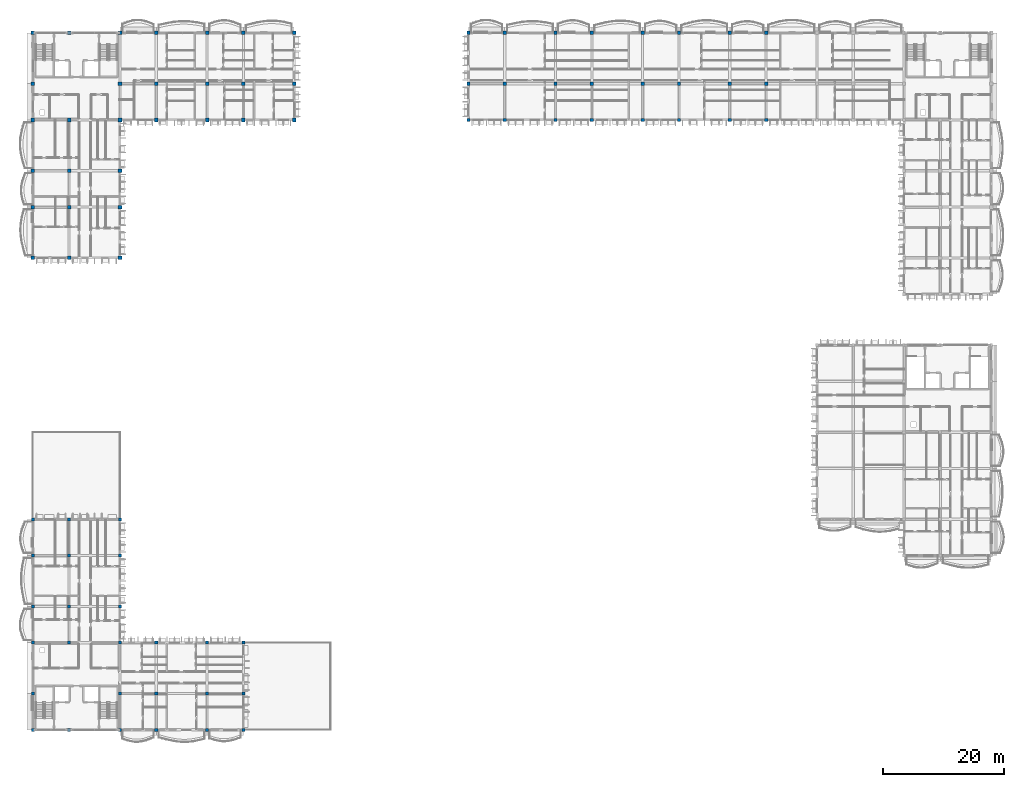
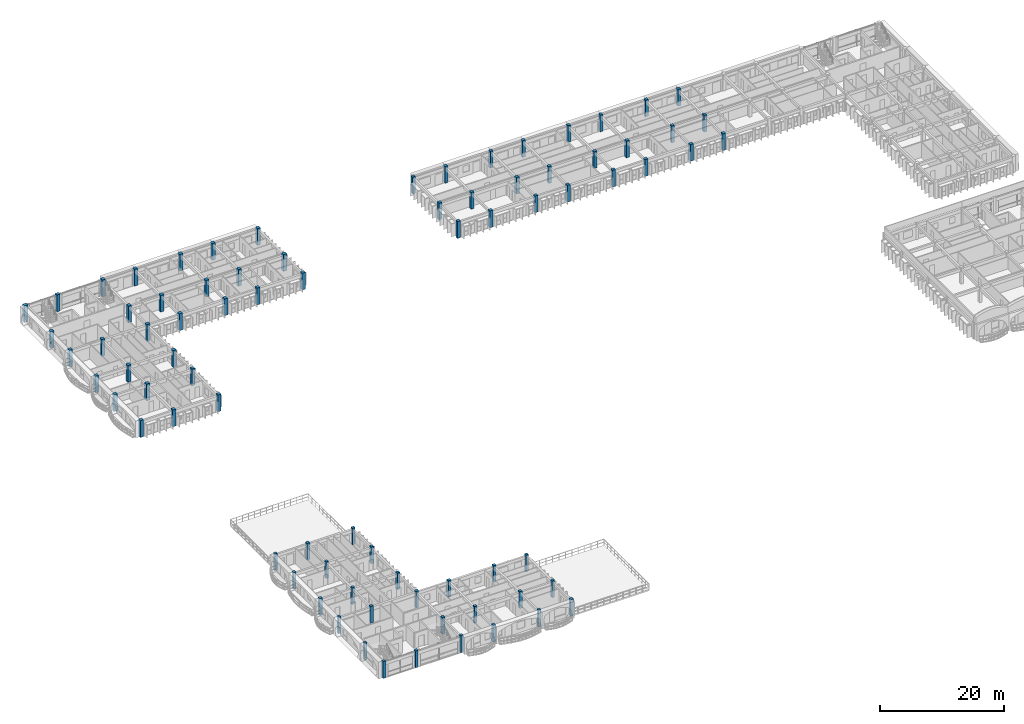
# One storey, part 1 of 59: 79 columns.
"""IFC4 building model written with IfcOpenShell, lengths in metres."""

from ifc_helpers import new_model, si_unit, direction, frame, origin, origin_2d, place, context, subcontext, project, spatial, rectangle, extrude, material, material_profile, profile_set, type_object, element, save


model = new_model("IFC4")

# Units and contexts
model_context = context("Model", 3, precision=1e-05, world=origin(), true_north=direction((0.0, 1.0)))
body_context = subcontext(model_context, "Body", "Model", "MODEL_VIEW")
ifc_project = project(units=[si_unit("LENGTHUNIT", "METRE"), si_unit("AREAUNIT", "SQUARE_METRE"), si_unit("VOLUMEUNIT", "CUBIC_METRE"), si_unit("PLANEANGLEUNIT", "RADIAN"), si_unit("MASSUNIT", "GRAM", prefix="KILO"), si_unit("THERMODYNAMICTEMPERATUREUNIT", "KELVIN")], contexts=[model_context])

# Site, building, storey
site_placement = place(None, origin())
site = spatial("IfcSite", under=ifc_project, at=site_placement, CompositionType="ELEMENT")
building_placement = place(site_placement, origin())
building = spatial("IfcBuilding", under=site, at=building_placement, Name="Thalorik Housing Commons", CompositionType="ELEMENT")
storey_placement = place(building_placement, frame((0.0, 0.0, 27.89990234375)))
storey = spatial("IfcBuildingStorey", under=building, at=storey_placement, Name="L08", CompositionType="ELEMENT", Elevation=27.89990234375)

# Columns
ifc_material = material(Name="Precast concrete C40/50", Category="concrete")
ifc_material_profile_1 = material_profile(ifc_material, rectangle(XDim=0.5, YDim=0.5, at=origin_2d()), Name="PC 500x500", Category="concrete")
ifc_profile_set_1 = profile_set([ifc_material_profile_1], Name="Precast concrete C40/50")
column_type_1 = type_object("IfcColumnType", Name="STR-COL-PC500", PredefinedType="COLUMN", material=ifc_profile_set_1)
for number, where, z_axis, x_axis, name in (
    (1, (8.39990234375, 8.39990234375, 0.0), (0.0, 0.0, 1.0), (1.0, 0.0, 0.0), "L08 Column C-500"),
    (2, (8.39990234375, 14.39990234375, 0.0), (0.0, 0.0, 1.0), (1.0, 0.0, 0.0), "L08 Column C-500"),
    (3, (8.39990234375, 22.800048828125, 0.0), (0.0, 0.0, 1.0), (1.0, 0.0, 0.0), "L08 Column C-500"),
    (4, (8.39990234375, 28.800048828125, 0.0), (0.0, 0.0, 1.0), (1.0, 0.0, 0.0), "L08 Column C-500"),
    (5, (8.39990234375, 37.199951171875, 0.0), (0.0, 0.0, 1.0), (1.0, 0.0, 0.0), "L08 Column C-500"),
    (6, (8.39990234375, 43.199951171875, 0.0), (0.0, 0.0, 1.0), (1.0, 0.0, 0.0), "L08 Column C-500"),
    (7, (14.39990234375, 8.39990234375, 0.0), (0.0, 0.0, 1.0), (1.0, 0.0, 0.0), "L08 Column C-500"),
    (8, (14.39990234375, 22.800048828125, 0.0), (0.0, 0.0, 1.0), (1.0, 0.0, 0.0), "L08 Column C-500"),
    (9, (14.39990234375, 28.800048828125, 0.0), (0.0, 0.0, 1.0), (1.0, 0.0, 0.0), "L08 Column C-500"),
    (10, (14.39990234375, 37.199951171875, 0.0), (0.0, 0.0, 1.0), (1.0, 0.0, 0.0), "L08 Column C-500"),
    (11, (14.39990234375, 43.199951171875, 0.0), (0.0, 0.0, 1.0), (1.0, 0.0, 0.0), "L08 Column C-500"),
    (12, (22.800048828125, 8.39990234375, 0.0), (0.0, 0.0, 1.0), (1.0, 0.0, 0.0), "L08 Column C-500"),
    (13, (22.800048828125, 14.39990234375, 0.0), (0.0, 0.0, 1.0), (1.0, 0.0, 0.0), "L08 Column C-500"),
    (14, (22.800048828125, 22.800048828125, 0.0), (0.0, 0.0, 1.0), (1.0, 0.0, 0.0), "L08 Column C-500"),
    (15, (22.800048828125, 28.800048828125, 0.0), (0.0, 0.0, 1.0), (1.0, 0.0, 0.0), "L08 Column C-500"),
    (16, (22.800048828125, 37.199951171875, 0.0), (0.0, 0.0, 1.0), (1.0, 0.0, 0.0), "L08 Column C-500"),
    (17, (22.800048828125, 43.199951171875, 0.0), (0.0, 0.0, 1.0), (1.0, 0.0, 0.0), "L08 Column C-500"),
    (18, (28.800048828125, 8.39990234375, 0.0), (0.0, 0.0, 1.0), (1.0, 0.0, 0.0), "L08 Column C-500"),
    (19, (28.800048828125, 14.39990234375, 0.0), (0.0, 0.0, 1.0), (1.0, 0.0, 0.0), "L08 Column C-500"),
    (20, (28.800048828125, 22.800048828125, 0.0), (0.0, 0.0, 1.0), (1.0, 0.0, 0.0), "L08 Column C-500"),
    (21, (37.199951171875, 8.39990234375, 0.0), (0.0, 0.0, 1.0), (1.0, 0.0, 0.0), "L08 Column C-500"),
    (22, (37.199951171875, 14.39990234375, 0.0), (0.0, 0.0, 1.0), (1.0, 0.0, 0.0), "L08 Column C-500"),
    (23, (37.199951171875, 22.800048828125, 0.0), (0.0, 0.0, 1.0), (1.0, 0.0, 0.0), "L08 Column C-500"),
    (24, (43.199951171875, 8.39990234375, 0.0), (0.0, 0.0, 1.0), (1.0, 0.0, 0.0), "L08 Column C-500"),
    (25, (43.199951171875, 14.39990234375, 0.0), (0.0, 0.0, 1.0), (1.0, 0.0, 0.0), "L08 Column C-500"),
    (26, (43.199951171875, 22.800048828125, 0.0), (0.0, 0.0, 1.0), (1.0, 0.0, 0.0), "L08 Column C-500"),
):
    element("IfcColumn", number, at=place(storey_placement, frame(where, z_axis=z_axis, x_axis=x_axis)), inside=storey, type_object=column_type_1, Name=name, PredefinedType="COLUMN", context=body_context, shape_type="SweptSolid", body=[
        extrude(rectangle(XDim=0.5, YDim=0.5, at=origin_2d()), origin(), (0.0, 0.0, 1.0), 3.300048828125),
    ])
ifc_material_profile_2 = material_profile(ifc_material, rectangle(XDim=0.550048828125, YDim=0.550048828125, at=origin_2d()), Name="PC 550x550", Category="concrete")
ifc_profile_set_2 = profile_set([ifc_material_profile_2], Name="Precast concrete C40/50")
column_type_2 = type_object("IfcColumnType", Name="STR-COL-PC550", PredefinedType="COLUMN", material=ifc_profile_set_2)
for number, where, z_axis, x_axis, name in (
    (27, (80.39990234375, 109.199951171875, 0.0), (0.0, 0.0, 1.0), (1.0, 0.0, 0.0), "L08 Column C-550"),
    (28, (80.39990234375, 115.199951171875, 0.0), (0.0, 0.0, 1.0), (1.0, 0.0, 0.0), "L08 Column C-550"),
    (29, (80.39990234375, 123.60009765625, 0.0), (0.0, 0.0, 1.0), (1.0, 0.0, 0.0), "L08 Column C-550"),
    (30, (86.39990234375, 109.199951171875, 0.0), (0.0, 0.0, 1.0), (1.0, 0.0, 0.0), "L08 Column C-550"),
    (31, (86.39990234375, 115.199951171875, 0.0), (0.0, 0.0, 1.0), (1.0, 0.0, 0.0), "L08 Column C-550"),
    (32, (86.39990234375, 123.60009765625, 0.0), (0.0, 0.0, 1.0), (1.0, 0.0, 0.0), "L08 Column C-550"),
    (33, (94.800048828125, 109.199951171875, 0.0), (0.0, 0.0, 1.0), (1.0, 0.0, 0.0), "L08 Column C-550"),
    (34, (94.800048828125, 115.199951171875, 0.0), (0.0, 0.0, 1.0), (1.0, 0.0, 0.0), "L08 Column C-550"),
    (35, (94.800048828125, 123.60009765625, 0.0), (0.0, 0.0, 1.0), (1.0, 0.0, 0.0), "L08 Column C-550"),
    (36, (100.800048828125, 109.199951171875, 0.0), (0.0, 0.0, 1.0), (1.0, 0.0, 0.0), "L08 Column C-550"),
    (37, (100.800048828125, 115.199951171875, 0.0), (0.0, 0.0, 1.0), (1.0, 0.0, 0.0), "L08 Column C-550"),
    (38, (100.800048828125, 123.60009765625, 0.0), (0.0, 0.0, 1.0), (1.0, 0.0, 0.0), "L08 Column C-550"),
    (39, (109.199951171875, 109.199951171875, 0.0), (0.0, 0.0, 1.0), (1.0, 0.0, 0.0), "L08 Column C-550"),
    (40, (109.199951171875, 115.199951171875, 0.0), (0.0, 0.0, 1.0), (1.0, 0.0, 0.0), "L08 Column C-550"),
    (41, (109.199951171875, 123.60009765625, 0.0), (0.0, 0.0, 1.0), (1.0, 0.0, 0.0), "L08 Column C-550"),
    (42, (115.199951171875, 109.199951171875, 0.0), (0.0, 0.0, 1.0), (1.0, 0.0, 0.0), "L08 Column C-550"),
    (43, (115.199951171875, 115.199951171875, 0.0), (0.0, 0.0, 1.0), (1.0, 0.0, 0.0), "L08 Column C-550"),
    (44, (115.199951171875, 123.60009765625, 0.0), (0.0, 0.0, 1.0), (1.0, 0.0, 0.0), "L08 Column C-550"),
    (45, (123.60009765625, 109.199951171875, 0.0), (0.0, 0.0, 1.0), (1.0, 0.0, 0.0), "L08 Column C-550"),
    (46, (123.60009765625, 115.199951171875, 0.0), (0.0, 0.0, 1.0), (1.0, 0.0, 0.0), "L08 Column C-550"),
    (47, (123.60009765625, 123.60009765625, 0.0), (0.0, 0.0, 1.0), (1.0, 0.0, 0.0), "L08 Column C-550"),
    (48, (129.60009765625, 109.199951171875, 0.0), (0.0, 0.0, 1.0), (1.0, 0.0, 0.0), "L08 Column C-550"),
    (49, (129.60009765625, 115.199951171875, 0.0), (0.0, 0.0, 1.0), (1.0, 0.0, 0.0), "L08 Column C-550"),
    (50, (129.60009765625, 123.60009765625, 0.0), (0.0, 0.0, 1.0), (1.0, 0.0, 0.0), "L08 Column C-550"),
):
    element("IfcColumn", number, at=place(storey_placement, frame(where, z_axis=z_axis, x_axis=x_axis)), inside=storey, type_object=column_type_2, Name=name, PredefinedType="COLUMN", context=body_context, shape_type="SweptSolid", body=[
        extrude(rectangle(XDim=0.550048828125, YDim=0.550048828125, at=origin_2d()), origin(), (0.0, 0.0, 1.0), 3.300048828125),
    ])
ifc_material_profile_3 = material_profile(ifc_material, rectangle(XDim=0.60009765625, YDim=0.60009765625, at=origin_2d()), Name="PC 600x600", Category="concrete")
ifc_profile_set_3 = profile_set([ifc_material_profile_3], Name="Precast concrete C40/50")
column_type_3 = type_object("IfcColumnType", Name="STR-COL-PC600", PredefinedType="COLUMN", material=ifc_profile_set_3)
for number, where, z_axis, x_axis, name in (
    (51, (8.39990234375, 86.39990234375, 0.0), (0.0, 0.0, 1.0), (1.0, 0.0, 0.0), "L08 Column C-600"),
    (52, (8.39990234375, 94.800048828125, 0.0), (0.0, 0.0, 1.0), (1.0, 0.0, 0.0), "L08 Column C-600"),
    (53, (8.39990234375, 100.800048828125, 0.0), (0.0, 0.0, 1.0), (1.0, 0.0, 0.0), "L08 Column C-600"),
    (54, (8.39990234375, 109.199951171875, 0.0), (0.0, 0.0, 1.0), (1.0, 0.0, 0.0), "L08 Column C-600"),
    (55, (8.39990234375, 115.199951171875, 0.0), (0.0, 0.0, 1.0), (1.0, 0.0, 0.0), "L08 Column C-600"),
    (56, (8.39990234375, 123.60009765625, 0.0), (0.0, 0.0, 1.0), (1.0, 0.0, 0.0), "L08 Column C-600"),
    (57, (14.39990234375, 86.39990234375, 0.0), (0.0, 0.0, 1.0), (1.0, 0.0, 0.0), "L08 Column C-600"),
    (58, (14.39990234375, 94.800048828125, 0.0), (0.0, 0.0, 1.0), (1.0, 0.0, 0.0), "L08 Column C-600"),
    (59, (14.39990234375, 100.800048828125, 0.0), (0.0, 0.0, 1.0), (1.0, 0.0, 0.0), "L08 Column C-600"),
    (60, (14.39990234375, 109.199951171875, 0.0), (0.0, 0.0, 1.0), (1.0, 0.0, 0.0), "L08 Column C-600"),
    (61, (14.39990234375, 123.60009765625, 0.0), (0.0, 0.0, 1.0), (1.0, 0.0, 0.0), "L08 Column C-600"),
    (62, (22.800048828125, 86.39990234375, 0.0), (0.0, 0.0, 1.0), (1.0, 0.0, 0.0), "L08 Column C-600"),
    (63, (22.800048828125, 94.800048828125, 0.0), (0.0, 0.0, 1.0), (1.0, 0.0, 0.0), "L08 Column C-600"),
    (64, (22.800048828125, 100.800048828125, 0.0), (0.0, 0.0, 1.0), (1.0, 0.0, 0.0), "L08 Column C-600"),
    (65, (22.800048828125, 109.199951171875, 0.0), (0.0, 0.0, 1.0), (1.0, 0.0, 0.0), "L08 Column C-600"),
    (66, (22.800048828125, 115.199951171875, 0.0), (0.0, 0.0, 1.0), (1.0, 0.0, 0.0), "L08 Column C-600"),
    (67, (22.800048828125, 123.60009765625, 0.0), (0.0, 0.0, 1.0), (1.0, 0.0, 0.0), "L08 Column C-600"),
    (68, (28.800048828125, 109.199951171875, 0.0), (0.0, 0.0, 1.0), (1.0, 0.0, 0.0), "L08 Column C-600"),
    (69, (28.800048828125, 115.199951171875, 0.0), (0.0, 0.0, 1.0), (1.0, 0.0, 0.0), "L08 Column C-600"),
    (70, (28.800048828125, 123.60009765625, 0.0), (0.0, 0.0, 1.0), (1.0, 0.0, 0.0), "L08 Column C-600"),
    (71, (37.199951171875, 109.199951171875, 0.0), (0.0, 0.0, 1.0), (1.0, 0.0, 0.0), "L08 Column C-600"),
    (72, (37.199951171875, 115.199951171875, 0.0), (0.0, 0.0, 1.0), (1.0, 0.0, 0.0), "L08 Column C-600"),
    (73, (37.199951171875, 123.60009765625, 0.0), (0.0, 0.0, 1.0), (1.0, 0.0, 0.0), "L08 Column C-600"),
    (74, (43.199951171875, 109.199951171875, 0.0), (0.0, 0.0, 1.0), (1.0, 0.0, 0.0), "L08 Column C-600"),
    (75, (43.199951171875, 115.199951171875, 0.0), (0.0, 0.0, 1.0), (1.0, 0.0, 0.0), "L08 Column C-600"),
    (76, (43.199951171875, 123.60009765625, 0.0), (0.0, 0.0, 1.0), (1.0, 0.0, 0.0), "L08 Column C-600"),
    (77, (51.60009765625, 109.199951171875, 0.0), (0.0, 0.0, 1.0), (1.0, 0.0, 0.0), "L08 Column C-600"),
    (78, (51.60009765625, 115.199951171875, 0.0), (0.0, 0.0, 1.0), (1.0, 0.0, 0.0), "L08 Column C-600"),
    (79, (51.60009765625, 123.60009765625, 0.0), (0.0, 0.0, 1.0), (1.0, 0.0, 0.0), "L08 Column C-600"),
):
    element("IfcColumn", number, at=place(storey_placement, frame(where, z_axis=z_axis, x_axis=x_axis)), inside=storey, type_object=column_type_3, Name=name, PredefinedType="COLUMN", context=body_context, shape_type="SweptSolid", body=[
        extrude(rectangle(XDim=0.60009765625, YDim=0.60009765625, at=origin_2d()), origin(), (0.0, 0.0, 1.0), 3.300048828125),
    ])

save(model, "model.ifc")
